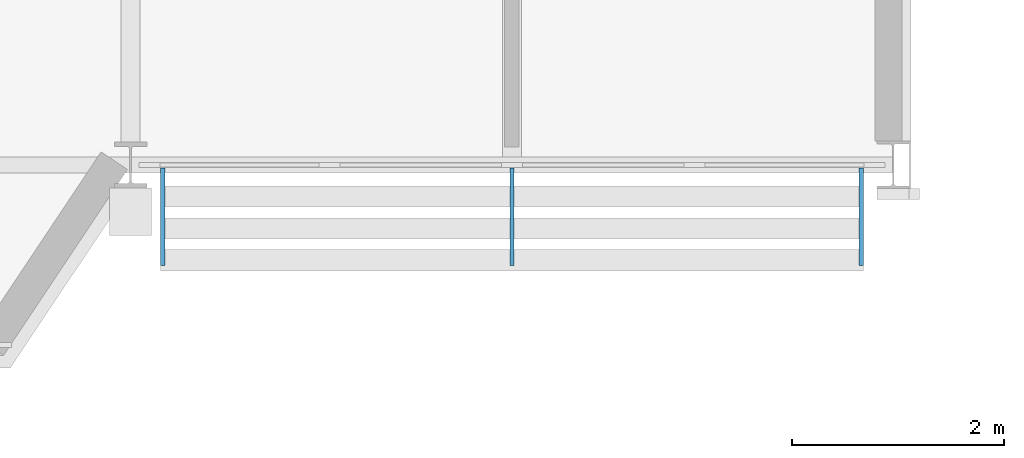
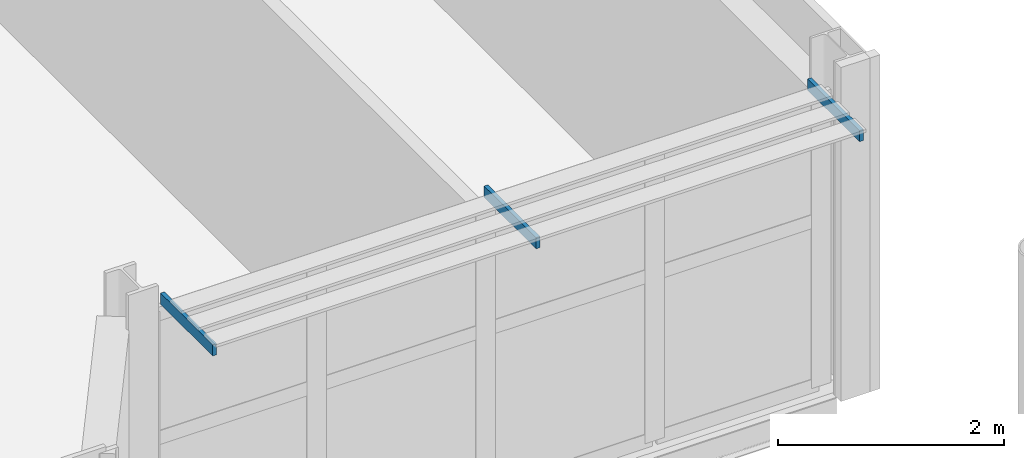
# One storey, part 90 of 120: 3 discrete accessories.
"""IFC4 building model written with IfcOpenShell, lengths in metres."""

from ifc_helpers import new_model, si_unit, direction, frame, origin, origin_2d, place, context, subcontext, project, spatial, rectangle, extrude, material, layer, layer_set, type_object, element, save


model = new_model("IFC4")

# Units and contexts
model_context = context("Model", 3, precision=1e-05, world=origin(), true_north=direction((0.0, 1.0)))
body_context = subcontext(model_context, "Body", "Model", "MODEL_VIEW")
ifc_project = project(units=[si_unit("LENGTHUNIT", "METRE"), si_unit("AREAUNIT", "SQUARE_METRE"), si_unit("VOLUMEUNIT", "CUBIC_METRE"), si_unit("PLANEANGLEUNIT", "RADIAN"), si_unit("MASSUNIT", "GRAM", prefix="KILO")], contexts=[model_context])

# Site, building, storey
site_placement = place(None, origin())
site = spatial("IfcSite", under=ifc_project, at=site_placement, CompositionType="ELEMENT")
building_placement = place(site_placement, origin())
building = spatial("IfcBuilding", under=site, at=building_placement, Name="Kupolbacken Congress Centre", CompositionType="ELEMENT")
storey_placement = place(building_placement, frame((0.0, 0.0, 21.60009765625)))
storey = spatial("IfcBuildingStorey", under=building, at=storey_placement, Name="L06", CompositionType="ELEMENT", Elevation=21.60009765625)

# Discrete accessories
ifc_material = material(Name="Steel S355", Category="steel")
ifc_layer = layer(ifc_material, 0.011962890625)
ifc_layer_set = layer_set([ifc_layer], Name="Steel S355")
discrete_accessory_type = type_object("IfcDiscreteAccessoryType", Name="BK1 bracket 150 x 150 x 12", PredefinedType="BRACKET", material=ifc_layer_set)
for number, where, z_axis, x_axis, name in (
    (1, (129.903564453125, 121.909912109375, 3.23974609375), (0.0, 0.0, 1.0), (1.0, 0.0, 0.0), "Brise-soleil arm"),
    (2, (133.20166015625, 121.909912109375, 3.23974609375), (0.0, 0.0, 1.0), (1.0, 0.0, 0.0), "Brise-soleil arm"),
    (3, (136.5, 121.909912109375, 3.23974609375), (0.0, 0.0, 1.0), (1.0, 0.0, 0.0), "Brise-soleil arm"),
):
    element("IfcDiscreteAccessory", number, at=place(storey_placement, frame(where, z_axis=z_axis, x_axis=x_axis)), inside=storey, type_object=discrete_accessory_type, Name=name, PredefinedType="BRACKET", context=body_context, shape_type="SweptSolid", body=[
        extrude(rectangle(XDim=0.0400390625, YDim=0.919921875, at=origin_2d()), origin(), (0.0, 0.0, 1.0), 0.1201171875),
    ])

save(model, "model.ifc")
